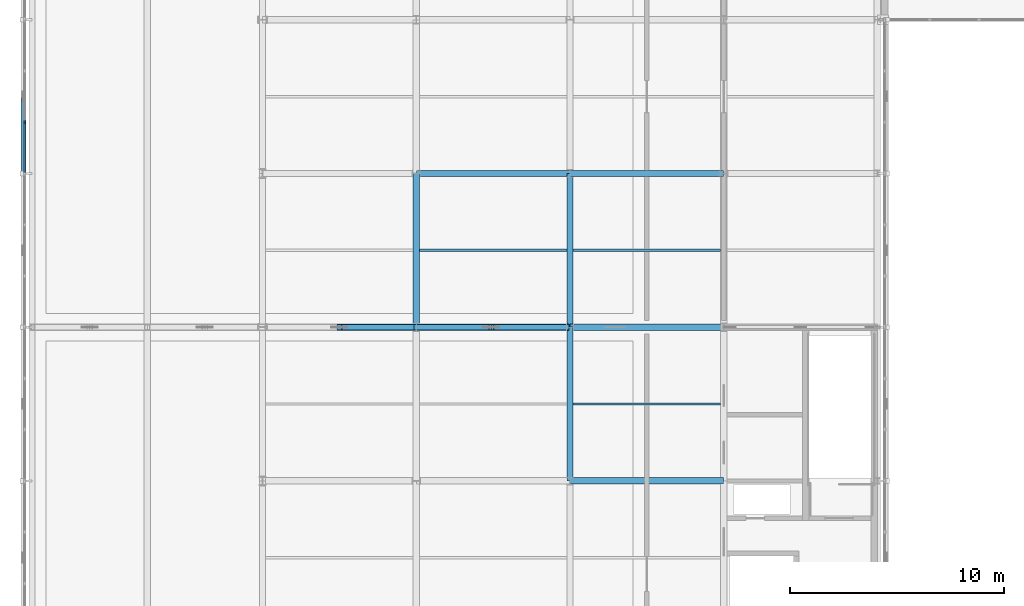
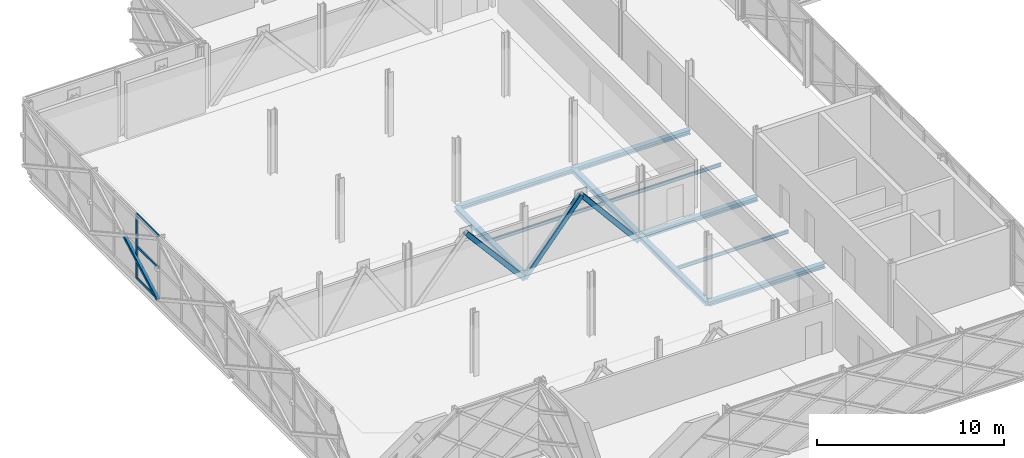
# One storey, part 44 of 103: 10 beams, 8 members, 1 element without a shape of its own.
"""IFC4 building model written with IfcOpenShell, lengths in metres."""

import ifcopenshell
import ifcopenshell.guid

model = None  # the IFC model being written
_history = None  # IfcOwnerHistory: only IFC2X3 demands one
_inside = {}  # id of a spatial element -> (the spatial element, [elements in it])
_under = {}  # id of a project, library or spatial element -> (it, [spatial elements below it])
_declared = {}  # id of a project -> (the project, [libraries it declares])
_typed = {}  # id of a type object -> (the type object, [elements of that type])
_made_of = {}  # id of a material, layer set ... -> (it, [elements and type objects made of it])


def new_model(schema):
    """Start an empty IFC model of exactly this schema.

    Asked for "IFC4X3", IfcOpenShell would pick the latest addendum, in which some entities
    have other attributes; the version numbers below select the first issue.
    IFC2X3 requires an IfcOwnerHistory on every rooted entity: one is made here for all.
    """
    global model, _history
    if schema == "IFC4X3":
        model = ifcopenshell.file(schema_version=(4, 3, 0, 0))
    else:
        model = ifcopenshell.file(schema=schema)
    _inside.clear()
    _under.clear()
    _declared.clear()
    _typed.clear()
    _made_of.clear()
    _history = None
    if model.schema == "IFC2X3":
        org = make("IfcOrganization", Name="unknown")
        user = make(
            "IfcPersonAndOrganization",
            ThePerson=make("IfcPerson", FamilyName="unknown"),
            TheOrganization=org,
        )
        app = make(
            "IfcApplication",
            ApplicationDeveloper=org,
            Version="unknown",
            ApplicationFullName="unknown",
            ApplicationIdentifier="unknown",
        )
        _history = make(
            "IfcOwnerHistory",
            OwningUser=user,
            OwningApplication=app,
            ChangeAction="ADDED",
            CreationDate=0,
        )
    return model


def make(cls, **values):
    """One entity of the class cls with the attributes given. An attribute that is None is left unset."""
    return model.create_entity(
        cls, **{name: value for name, value in values.items() if value is not None}
    )


def rooted(cls, **values):
    """An entity with a GlobalId (a new one), such as an element, a storey or a relation."""
    return make(cls, GlobalId=ifcopenshell.guid.new(), OwnerHistory=_history, **values)


def si_unit(unit_type, name, prefix=None):
    """IfcSIUnit, for example si_unit("LENGTHUNIT", "METRE", prefix="MILLI")."""
    return make("IfcSIUnit", UnitType=unit_type, Prefix=prefix, Name=name)


def assignment(units):
    """IfcUnitAssignment: the units of a project."""
    return None if units is None else make("IfcUnitAssignment", Units=units)


def point(xyz):
    """IfcCartesianPoint."""
    return None if xyz is None else make("IfcCartesianPoint", Coordinates=xyz)


def direction(xyz):
    """IfcDirection."""
    return None if xyz is None else make("IfcDirection", DirectionRatios=xyz)


def frame(location, z_axis=None, x_axis=None):
    """IfcAxis2Placement3D, a coordinate frame: its origin and axes. An axis left out is left unset."""
    return make(
        "IfcAxis2Placement3D",
        Location=point(location),
        Axis=direction(z_axis),
        RefDirection=direction(x_axis),
    )


def frame_2d(location, x_axis=None):
    """IfcAxis2Placement2D, a coordinate frame in the plane: its origin and x axis."""
    return make(
        "IfcAxis2Placement2D", Location=point(location), RefDirection=direction(x_axis)
    )


def origin():
    """The frame at (0, 0, 0) with its axes left unset."""
    return frame((0.0, 0.0, 0.0))


def origin_2d():
    """The frame at (0, 0) in the plane with its x axis left unset."""
    return frame_2d((0.0, 0.0))


def place(relative_to, where):
    """IfcLocalPlacement: puts the frame where relative to a parent placement (None: the world)."""
    return make(
        "IfcLocalPlacement", PlacementRelTo=relative_to, RelativePlacement=where
    )


def context(
    kind, dimensions, precision=None, world=None, true_north=None, identifier=None
):
    """IfcGeometricRepresentationContext, for example the 3D "Model" context."""
    return make(
        "IfcGeometricRepresentationContext",
        ContextIdentifier=identifier,
        ContextType=kind,
        CoordinateSpaceDimension=dimensions,
        Precision=precision,
        WorldCoordinateSystem=world,
        TrueNorth=true_north,
    )


def subcontext(parent, identifier, kind, view, scale=None):
    """IfcGeometricRepresentationSubContext, for example "Body" below "Model"."""
    return make(
        "IfcGeometricRepresentationSubContext",
        ContextIdentifier=identifier,
        ContextType=kind,
        ParentContext=parent,
        TargetScale=scale,
        TargetView=view,
    )


def project(units=None, contexts=None):
    """IfcProject with its units and contexts."""
    return rooted(
        "IfcProject",
        Name="project",
        RepresentationContexts=contexts,
        UnitsInContext=assignment(units),
    )


def spatial(cls, under=None, at=None, **own):
    """A site, building, storey or space (cls), placed at a placement, below another one or the project."""
    s = rooted(cls, ObjectPlacement=at, **own)
    if under is not None:
        _under.setdefault(under.id(), (under, []))[1].append(s)
    return s


def profile(cls, at=None, kind="AREA", **sizes):
    """A parametric profile (cls). Its sizes go by their IFC names, for example OverallWidth=200.0."""
    return make(cls, ProfileType=kind, Position=at, **sizes)


def rectangle(**sizes):
    """IfcRectangleProfileDef."""
    return profile("IfcRectangleProfileDef", **sizes)


def hollow_rectangle(**sizes):
    """IfcRectangleHollowProfileDef."""
    return profile("IfcRectangleHollowProfileDef", **sizes)


def i_section(**sizes):
    """IfcIShapeProfileDef."""
    return profile("IfcIShapeProfileDef", **sizes)


def extrude(swept, where, along, depth):
    """IfcExtrudedAreaSolid: the profile swept, set in the frame where, extruded along a direction by depth."""
    return make(
        "IfcExtrudedAreaSolid",
        SweptArea=swept,
        Position=where,
        ExtrudedDirection=direction(along),
        Depth=depth,
    )


def shape(context_of_items, identifier, shape_type, items):
    """IfcShapeRepresentation: the items that make up one representation, for example the "Body"."""
    return make(
        "IfcShapeRepresentation",
        ContextOfItems=context_of_items,
        RepresentationIdentifier=identifier,
        RepresentationType=shape_type,
        Items=items,
    )


def material(Name=None, Category=None):
    """IfcMaterial."""
    return make("IfcMaterial", Name=Name, Category=Category)


def material_profile(
    of_material, cross_section, Name=None, Category=None, Priority=None
):
    """IfcMaterialProfile: a cross section and its material."""
    return make(
        "IfcMaterialProfile",
        Name=Name,
        Material=of_material,
        Profile=cross_section,
        Priority=Priority,
        Category=Category,
    )


def profile_set(profiles, Name=None, composite=None):
    """IfcMaterialProfileSet."""
    return make(
        "IfcMaterialProfileSet",
        Name=Name,
        MaterialProfiles=profiles,
        CompositeProfile=composite,
    )


def made_of(thing, what):
    """Note that an element or type object is made of a material, layer set ...; save() writes the relation."""
    if what is not None:
        _made_of.setdefault(what.id(), (what, []))[1].append(thing)
    return thing


def type_object(cls, material=None, **own):
    """A type object (cls), such as IfcWallType, which elements share."""
    return made_of(rooted(cls, **own), material)


def element(
    cls,
    number,
    at=None,
    inside=None,
    cuts=None,
    type_object=None,
    material=None,
    context=None,
    identifier="Body",
    shape_type=None,
    held_by="IfcProductDefinitionShape",
    body=None,
    shapes=None,
    **own,
):
    """One element of the class cls, such as IfcWall. Its Tag is "e" and its number.

    at: its placement. inside: the storey or other place that contains it. cuts: it is an
    opening in that element (IfcRelVoidsElement). A single representation is given by context,
    identifier, shape_type and body (its items); several are given by shapes. held_by: the class
    of the entity that holds the representations. save() writes the other relations.
    """
    e = rooted(cls, Tag="e%d" % number, ObjectPlacement=at, **own)
    if body is not None:
        shapes = [shape(context, identifier, shape_type, body)]
    if shapes is not None:
        e.Representation = make(held_by, Representations=shapes)
    if inside is not None:
        _inside.setdefault(inside.id(), (inside, []))[1].append(e)
    if cuts is not None:
        rooted(
            "IfcRelVoidsElement", RelatingBuildingElement=cuts, RelatedOpeningElement=e
        )
    if type_object is not None:
        _typed.setdefault(type_object.id(), (type_object, []))[1].append(e)
    return made_of(e, material)


def aggregate(whole, parts):
    """IfcRelAggregates: a whole, such as a stair, and the parts it consists of."""
    return rooted("IfcRelAggregates", RelatingObject=whole, RelatedObjects=parts)


def save(model, path):
    """Write the relations noted so far, then the file.

    IfcRelAggregates (storeys below a building ...), IfcRelContainedInSpatialStructure (elements
    in a storey), IfcRelDefinesByType, IfcRelAssociatesMaterial and IfcRelDeclares: one each for
    every whole, place, type object, material and project.
    """
    for whole, parts in _under.values():
        aggregate(whole, parts)
    for where, things in _inside.values():
        rooted(
            "IfcRelContainedInSpatialStructure",
            RelatedElements=things,
            RelatingStructure=where,
        )
    for kind, things in _typed.values():
        rooted("IfcRelDefinesByType", RelatedObjects=things, RelatingType=kind)
    for what, things in _made_of.values():
        rooted("IfcRelAssociatesMaterial", RelatedObjects=things, RelatingMaterial=what)
    for by, libraries in _declared.values():
        rooted("IfcRelDeclares", RelatingContext=by, RelatedDefinitions=libraries)
    model.write(path)


model = new_model("IFC4")

# Units and contexts
model_context = context("Model", 3, precision=1e-05, world=origin(), true_north=direction((0.0, 1.0)))
body_context = subcontext(model_context, "Body", "Model", "MODEL_VIEW")
ifc_project = project(units=[si_unit("LENGTHUNIT", "METRE"), si_unit("AREAUNIT", "SQUARE_METRE"), si_unit("VOLUMEUNIT", "CUBIC_METRE"), si_unit("PLANEANGLEUNIT", "RADIAN"), si_unit("MASSUNIT", "GRAM", prefix="KILO")], contexts=[model_context])

# Site, building, storey
site_placement = place(None, origin())
site = spatial("IfcSite", under=ifc_project, at=site_placement, CompositionType="ELEMENT")
building_placement = place(site_placement, origin())
building = spatial("IfcBuilding", under=site, at=building_placement, Name="Zlatovets Crest Museum", CompositionType="ELEMENT")
storey_placement = place(building_placement, frame((0.0, 0.0, 12.89990234375)))
storey = spatial("IfcBuildingStorey", under=building, at=storey_placement, Name="L03", CompositionType="ELEMENT", Elevation=12.89990234375)

# Beams
ifc_material_1 = material(Name="Structural steel S355J2", Category="steel")
ifc_material_profile_1 = material_profile(ifc_material_1, i_section(OverallWidth=0.300048828125, OverallDepth=0.31005859375, WebThickness=0.009033203125, FlangeThickness=0.015380859375, FilletRadius=0.027099609375, at=origin_2d()), Name="HEA 320")
ifc_profile_set_1 = profile_set([ifc_material_profile_1], Name="Structural steel S355J2")
beam_type_1 = type_object("IfcBeamType", Name="Beam_B-04", PredefinedType="BEAM", material=ifc_profile_set_1)
for number, where, z_axis, x_axis, name in (
    (1, (14.39990234375, 72.0, -0.39501953125), (0.0, 1.0, 0.0), (-1.0, 0.0, 0.0), "V4 L03 Grid Beam B-04"),
    (2, (21.60009765625, 64.800048828125, -0.39501953125), (0.0, 1.0, 0.0), (-1.0, 0.0, 0.0), "V4 L03 Grid Beam B-04"),
    (3, (21.60009765625, 72.0, -0.39501953125), (0.0, 1.0, 0.0), (-1.0, 0.0, 0.0), "V4 L03 Grid Beam B-04"),
):
    element("IfcBeam", number, at=place(storey_placement, frame(where, z_axis=z_axis, x_axis=x_axis)), inside=storey, type_object=beam_type_1, Name=name, PredefinedType="BEAM", context=body_context, shape_type="SweptSolid", body=[
        extrude(i_section(OverallWidth=0.300048828125, OverallDepth=0.31005859375, WebThickness=0.009033203125, FlangeThickness=0.015380859375, FilletRadius=0.027099609375, at=origin_2d()), origin(), (0.0, 0.0, 1.0), 7.199951171875),
    ])
ifc_material_profile_2 = material_profile(ifc_material_1, i_section(OverallWidth=0.300048828125, OverallDepth=0.2900390625, WebThickness=0.008544921875, FlangeThickness=0.013916015625, FilletRadius=0.027099609375, at=origin_2d()), Name="HEA 300")
ifc_profile_set_2 = profile_set([ifc_material_profile_2], Name="Structural steel S355J2")
beam_type_2 = type_object("IfcBeamType", Name="Beam_B-12", PredefinedType="BEAM", material=ifc_profile_set_2)
for number, where, z_axis, x_axis, name in (
    (4, (21.60009765625, 64.800048828125, -0.385009765625), (1.0, 0.0, 0.0), (0.0, 1.0, 0.0), "V4 L03 Primary Girder B-12"),
    (5, (21.60009765625, 72.0, -0.385009765625), (1.0, 0.0, 0.0), (0.0, 1.0, 0.0), "V4 L03 Primary Girder B-12"),
):
    element("IfcBeam", number, at=place(storey_placement, frame(where, z_axis=z_axis, x_axis=x_axis)), inside=storey, type_object=beam_type_2, Name=name, PredefinedType="BEAM", context=body_context, shape_type="SweptSolid", body=[
        extrude(i_section(OverallWidth=0.300048828125, OverallDepth=0.2900390625, WebThickness=0.008544921875, FlangeThickness=0.013916015625, FilletRadius=0.027099609375, at=origin_2d()), origin(), (0.0, 0.0, 1.0), 7.199951171875),
    ])
beam_1_placement = place(storey_placement, frame((14.39990234375, 79.199951171875, -0.385009765625), z_axis=(1.0, 0.0, 0.0), x_axis=(0.0, 1.0, 0.0)))
element("IfcBeam", 6, at=beam_1_placement, inside=storey, type_object=beam_type_2, Name="V4 L03 Primary Girder B-12", PredefinedType="BEAM", context=body_context, shape_type="SweptSolid", body=[
    extrude(i_section(OverallWidth=0.300048828125, OverallDepth=0.2900390625, WebThickness=0.008544921875, FlangeThickness=0.013916015625, FilletRadius=0.027099609375, at=origin_2d()), origin(), (0.0, 0.0, 1.0), 7.2001953125),
])
beam_2_placement = place(storey_placement, frame((21.60009765625, 79.199951171875, -0.385009765625), z_axis=(1.0, 0.0, 0.0), x_axis=(0.0, 1.0, 0.0)))
element("IfcBeam", 7, at=beam_2_placement, inside=storey, type_object=beam_type_2, Name="V4 L03 Primary Girder B-12", PredefinedType="BEAM", context=body_context, shape_type="SweptSolid", body=[
    extrude(i_section(OverallWidth=0.300048828125, OverallDepth=0.2900390625, WebThickness=0.008544921875, FlangeThickness=0.013916015625, FilletRadius=0.027099609375, at=origin_2d()), origin(), (0.0, 0.0, 1.0), 7.199951171875),
])
ifc_material_profile_3 = material_profile(ifc_material_1, i_section(OverallWidth=0.110107421875, OverallDepth=0.219970703125, WebThickness=0.005859375, FlangeThickness=0.00927734375, FilletRadius=0.011962890625, at=origin_2d()), Name="IPE 220")
ifc_profile_set_3 = profile_set([ifc_material_profile_3], Name="Structural steel S355J2")
beam_type_3 = type_object("IfcBeamType", Name="Beam_J-10", PredefinedType="JOIST", material=ifc_profile_set_3)
for number, where, z_axis, x_axis, name in (
    (8, (14.550048828125, 75.60009765625, -0.349853515625), (1.0, 0.0, 0.0), (0.0, 1.0, 0.0), "V4 L03 Composite Joist J-10"),
    (9, (21.75, 68.39990234375, -0.349853515625), (1.0, 0.0, 0.0), (0.0, 1.0, 0.0), "V4 L03 Composite Joist J-10"),
    (10, (21.75, 75.60009765625, -0.349853515625), (1.0, 0.0, 0.0), (0.0, 1.0, 0.0), "V4 L03 Composite Joist J-10"),
):
    element("IfcBeam", number, at=place(storey_placement, frame(where, z_axis=z_axis, x_axis=x_axis)), inside=storey, type_object=beam_type_3, Name=name, PredefinedType="JOIST", context=body_context, shape_type="SweptSolid", body=[
        extrude(i_section(OverallWidth=0.110107421875, OverallDepth=0.219970703125, WebThickness=0.005859375, FlangeThickness=0.00927734375, FilletRadius=0.011962890625, at=origin_2d()), origin(), (0.0, 0.0, 1.0), 6.89990234375),
    ])

# Curtain wall, members
ifc_material_2 = material(Name="Bronze-anodised aluminium and low-E triple glass", Category="aluminium")
curtain_wall_type = type_object("IfcCurtainWallType", Name="CW_CW-V4-L03-M3", PredefinedType="NOTDEFINED", material=ifc_material_2)
curtain_wall_placement = place(storey_placement, origin())
curtain_wall = element("IfcCurtainWall", 11, at=curtain_wall_placement, inside=storey, type_object=curtain_wall_type, Name="V4 L03 Secession Foyer Clear Curtain Wall", PredefinedType="NOTDEFINED")
ifc_material_3 = material(Name="Bronze-anodised aluminium EN AW-6060", Category="aluminium")
ifc_material_profile_4 = material_profile(ifc_material_3, rectangle(XDim=0.080078125, YDim=0.159912109375, at=origin_2d()), Name="ALU 80x160")
ifc_profile_set_4 = profile_set([ifc_material_profile_4], Name="Bronze-anodised aluminium EN AW-6060")
member_type_1 = type_object("IfcMemberType", Name="CWMull_M1", PredefinedType="MULLION", material=ifc_profile_set_4)
member_1_placement = place(storey_placement, frame((-3.93994140625, 81.60009765625, 0.0), z_axis=(0.0, 0.0, 1.0), x_axis=(1.0, 0.0, 0.0)))
member_1 = element("IfcMember", 12, at=member_1_placement, type_object=member_type_1, Name="CW-V4-L03-M3 mullion 3", PredefinedType="MULLION", context=body_context, shape_type="SweptSolid", body=[
    extrude(rectangle(XDim=0.080078125, YDim=0.159912109375, at=origin_2d()), origin(), (0.0, 0.0, 1.0), 4.2001953125),
])
ifc_material_profile_5 = material_profile(ifc_material_3, rectangle(XDim=0.080078125, YDim=0.159912109375, at=origin_2d()), Name="ALU 80x160")
ifc_profile_set_5 = profile_set([ifc_material_profile_5], Name="Bronze-anodised aluminium EN AW-6060")
member_type_2 = type_object("IfcMemberType", Name="CWTrans_T1", PredefinedType="USERDEFINED", material=ifc_profile_set_5)
member_2_placement = place(storey_placement, frame((-3.93994140625, 81.570068359375, 0.030029296875), z_axis=(0.0, -1.0, 0.0), x_axis=(1.0, 0.0, 0.0)))
member_2 = element("IfcMember", 13, at=member_2_placement, type_object=member_type_2, Name="CW-V4-L03-M3 transom 3.1", ObjectType="TRANSOM", PredefinedType="USERDEFINED", context=body_context, shape_type="SweptSolid", body=[
    extrude(rectangle(XDim=0.080078125, YDim=0.159912109375, at=origin_2d()), origin(), (0.0, 0.0, 1.0), 2.31005859375),
])
member_3_placement = place(storey_placement, frame((-3.93994140625, 81.570068359375, 2.10009765625), z_axis=(0.0, -1.0, 0.0), x_axis=(1.0, 0.0, 0.0)))
member_3 = element("IfcMember", 14, at=member_3_placement, type_object=member_type_2, Name="CW-V4-L03-M3 transom 3.2", ObjectType="TRANSOM", PredefinedType="USERDEFINED", context=body_context, shape_type="SweptSolid", body=[
    extrude(rectangle(XDim=0.080078125, YDim=0.159912109375, at=origin_2d()), origin(), (0.0, 0.0, 1.0), 2.31005859375),
])
member_4_placement = place(storey_placement, frame((-3.93994140625, 81.570068359375, 4.170166015625), z_axis=(0.0, -1.0, 0.0), x_axis=(1.0, 0.0, 0.0)))
member_4 = element("IfcMember", 15, at=member_4_placement, type_object=member_type_2, Name="CW-V4-L03-M3 transom 3.3", ObjectType="TRANSOM", PredefinedType="USERDEFINED", context=body_context, shape_type="SweptSolid", body=[
    extrude(rectangle(XDim=0.080078125, YDim=0.159912109375, at=origin_2d()), origin(), (0.0, 0.0, 1.0), 2.31005859375),
])
aggregate(curtain_wall, [member_1, member_2, member_3, member_4])

# Members
ifc_material_4 = material(Name="Weathering bronze-steel S355J2W", Category="steel")
ifc_material_profile_6 = material_profile(ifc_material_4, hollow_rectangle(XDim=0.199951171875, YDim=0.199951171875, WallThickness=0.012451171875, InnerFilletRadius=0.012451171875, OuterFilletRadius=0.02490234375, at=origin_2d()), Name="SHS 200x200x12.5")
ifc_profile_set_6 = profile_set([ifc_material_profile_6], Name="Weathering bronze-steel S355J2W")
member_type_3 = type_object("IfcMemberType", Name="Lattice_XL-02", PredefinedType="BRACE", material=ifc_profile_set_6)
member_5_placement = place(storey_placement, frame((-4.02001953125, 82.717041015625, 2.053955078125), z_axis=(0.0, -0.874165862873, -0.485627474703), x_axis=(1.0, 0.0, 0.0)))
element("IfcMember", 16, at=member_5_placement, inside=storey, type_object=member_type_3, Name="Split Crossing Bronze Lattice Diagonal Lower", PredefinedType="BRACE", context=body_context, shape_type="SweptSolid", body=[
    extrude(hollow_rectangle(XDim=0.199951171875, YDim=0.199951171875, WallThickness=0.012451171875, InnerFilletRadius=0.012451171875, OuterFilletRadius=0.02490234375, at=origin_2d()), origin(), (0.0, 0.0, 1.0), 4.0234375),
])
ifc_material_profile_7 = material_profile(ifc_material_1, hollow_rectangle(XDim=0.300048828125, YDim=0.300048828125, WallThickness=0.01611328125, InnerFilletRadius=0.01611328125, OuterFilletRadius=0.031982421875, at=origin_2d()), Name="SHS 300x300x16.0")
ifc_profile_set_7 = profile_set([ifc_material_profile_7], Name="Structural steel S355J2")
member_type_4 = type_object("IfcMemberType", Name="Member_TM-08", PredefinedType="BRACE", material=ifc_profile_set_7)
member_6_placement = place(storey_placement, frame((10.800048828125, 72.0, 3.630126953125), z_axis=(0.648995313952, 0.0, -0.760792404318), x_axis=(0.0, 1.0, 0.0)))
element("IfcMember", 17, at=member_6_placement, inside=storey, type_object=member_type_4, Name="Transfer Truss TT-2 Web Diagonal", PredefinedType="BRACE", context=body_context, shape_type="SweptSolid", body=[
    extrude(hollow_rectangle(XDim=0.300048828125, YDim=0.300048828125, WallThickness=0.01611328125, InnerFilletRadius=0.01611328125, OuterFilletRadius=0.031982421875, at=origin_2d()), origin(), (0.0, 0.0, 1.0), 5.546875),
])
for number, where, z_axis, x_axis, name in (
    (18, (14.39990234375, 72.0, -0.58984375), (0.640547026603, 0.0, 0.767918945404), (0.0, 1.0, 0.0), "Transfer Truss TT-2 Web Diagonal"),
    (19, (17.919921875, 72.0, 3.630126953125), (0.640547026603, 0.0, -0.767918945404), (0.0, 1.0, 0.0), "Transfer Truss TT-2 Web Diagonal"),
):
    element("IfcMember", number, at=place(storey_placement, frame(where, z_axis=z_axis, x_axis=x_axis)), inside=storey, type_object=member_type_4, Name=name, PredefinedType="BRACE", context=body_context, shape_type="SweptSolid", body=[
        extrude(hollow_rectangle(XDim=0.300048828125, YDim=0.300048828125, WallThickness=0.01611328125, InnerFilletRadius=0.01611328125, OuterFilletRadius=0.031982421875, at=origin_2d()), origin(), (0.0, 0.0, 1.0), 5.495361328125),
    ])

save(model, "model.ifc")
